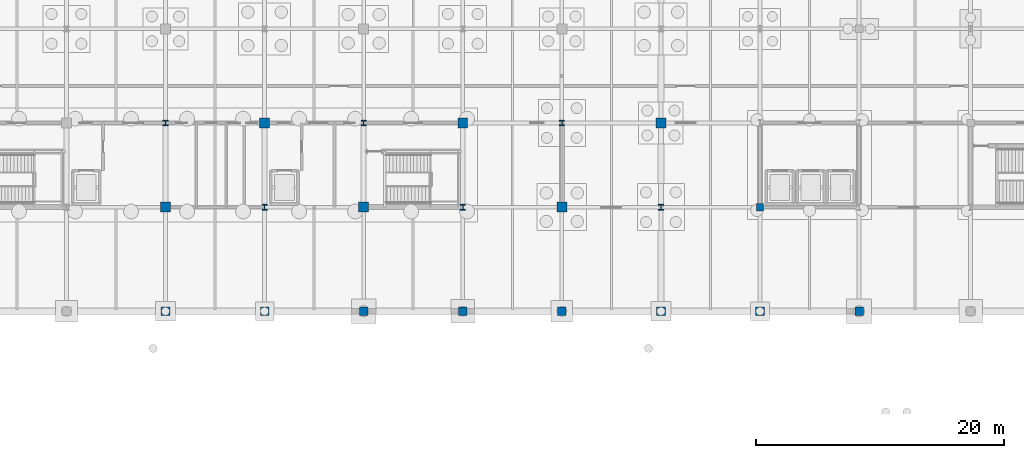
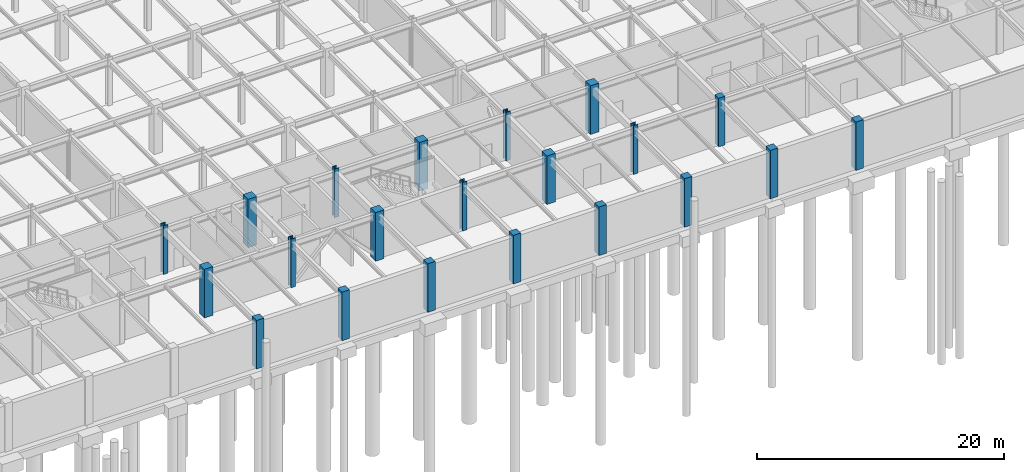
# One storey, part 13 of 53: 21 columns.
"""IFC4 building model written with IfcOpenShell, lengths in metres."""

from ifc_helpers import new_model, si_unit, direction, frame, origin, origin_2d, place, context, subcontext, project, spatial, rectangle, i_section, extrude, material, material_profile, profile_set, type_object, element, save


model = new_model("IFC4")

# Units and contexts
model_context = context("Model", 3, precision=1e-05, world=origin(), true_north=direction((0.0, 1.0)))
body_context = subcontext(model_context, "Body", "Model", "MODEL_VIEW")
ifc_project = project(units=[si_unit("LENGTHUNIT", "METRE"), si_unit("AREAUNIT", "SQUARE_METRE"), si_unit("VOLUMEUNIT", "CUBIC_METRE"), si_unit("PLANEANGLEUNIT", "RADIAN"), si_unit("MASSUNIT", "GRAM", prefix="KILO")], contexts=[model_context])

# Site, building, storey
site_placement = place(None, origin())
site = spatial("IfcSite", under=ifc_project, at=site_placement, CompositionType="ELEMENT")
building_placement = place(site_placement, origin())
building = spatial("IfcBuilding", under=site, at=building_placement, Name="Shalkamar Park Central Library", CompositionType="ELEMENT")
storey_placement = place(building_placement, frame((0.0, 0.0, -4.800048828125)))
storey = spatial("IfcBuildingStorey", under=building, at=storey_placement, Name="B1", CompositionType="ELEMENT", Elevation=-4.800048828125)

# Columns
ifc_material_1 = material(Name="Concrete C40/50", Category="concrete")
ifc_material_profile_1 = material_profile(ifc_material_1, rectangle(XDim=0.60009765625, YDim=0.60009765625, at=origin_2d()), Name="RC 600x600")
ifc_profile_set_1 = profile_set([ifc_material_profile_1], Name="Concrete C40/50")
column_type_1 = type_object("IfcColumnType", Name="Column Concrete RC600", PredefinedType="COLUMN", material=ifc_profile_set_1)
column_placement = place(storey_placement, frame((229.0, 248.39990234375, 0.0), z_axis=(0.0, 0.0, 1.0), x_axis=(1.0, 0.0, 0.0)))
element("IfcColumn", 1, at=column_placement, inside=storey, type_object=column_type_1, Name="Column 15/B (B1)", PredefinedType="COLUMN", context=body_context, shape_type="SweptSolid", body=[
    extrude(rectangle(XDim=0.60009765625, YDim=0.60009765625, at=origin_2d()), origin(), (0.0, 0.0, 1.0), 4.800048828125),
])
ifc_material_profile_2 = material_profile(ifc_material_1, rectangle(XDim=0.699951171875, YDim=0.699951171875, at=origin_2d()), Name="RC 700x700")
ifc_profile_set_2 = profile_set([ifc_material_profile_2], Name="Concrete C40/50")
column_type_2 = type_object("IfcColumnType", Name="Column Concrete RC700", PredefinedType="COLUMN", material=ifc_profile_set_2)
for number, where, z_axis, x_axis, name in (
    (2, (181.0, 240.0, 0.0), (0.0, 0.0, 1.0), (1.0, 0.0, 0.0), "Column 09/A (B1)"),
    (3, (189.0, 240.0, 0.0), (0.0, 0.0, 1.0), (1.0, 0.0, 0.0), "Column 10/A (B1)"),
    (4, (197.0, 240.0, 0.0), (0.0, 0.0, 1.0), (1.0, 0.0, 0.0), "Column 11/A (B1)"),
    (5, (205.0, 240.0, 0.0), (0.0, 0.0, 1.0), (1.0, 0.0, 0.0), "Column 12/A (B1)"),
    (6, (213.0, 240.0, 0.0), (0.0, 0.0, 1.0), (1.0, 0.0, 0.0), "Column 13/A (B1)"),
    (7, (221.0, 240.0, 0.0), (0.0, 0.0, 1.0), (1.0, 0.0, 0.0), "Column 14/A (B1)"),
    (8, (229.0, 240.0, 0.0), (0.0, 0.0, 1.0), (1.0, 0.0, 0.0), "Column 15/A (B1)"),
    (9, (237.0, 240.0, 0.0), (0.0, 0.0, 1.0), (1.0, 0.0, 0.0), "Column 16/A (B1)"),
):
    element("IfcColumn", number, at=place(storey_placement, frame(where, z_axis=z_axis, x_axis=x_axis)), inside=storey, type_object=column_type_2, Name=name, PredefinedType="COLUMN", context=body_context, shape_type="SweptSolid", body=[
        extrude(rectangle(XDim=0.699951171875, YDim=0.699951171875, at=origin_2d()), origin(), (0.0, 0.0, 1.0), 4.800048828125),
    ])
ifc_material_profile_3 = material_profile(ifc_material_1, rectangle(XDim=0.800048828125, YDim=0.800048828125, at=origin_2d()), Name="RC 800x800")
ifc_profile_set_3 = profile_set([ifc_material_profile_3], Name="Concrete C40/50")
column_type_3 = type_object("IfcColumnType", Name="Column Concrete RC800", PredefinedType="COLUMN", material=ifc_profile_set_3)
for number, where, z_axis, x_axis, name in (
    (10, (181.0, 248.39990234375, 0.0), (0.0, 0.0, 1.0), (1.0, 0.0, 0.0), "Column 09/B (B1)"),
    (11, (189.0, 255.199951171875, 0.0), (0.0, 0.0, 1.0), (1.0, 0.0, 0.0), "Column 10/C (B1)"),
    (12, (197.0, 248.39990234375, 0.0), (0.0, 0.0, 1.0), (1.0, 0.0, 0.0), "Column 11/B (B1)"),
    (13, (205.0, 255.199951171875, 0.0), (0.0, 0.0, 1.0), (1.0, 0.0, 0.0), "Column 12/C (B1)"),
    (14, (213.0, 248.39990234375, 0.0), (0.0, 0.0, 1.0), (1.0, 0.0, 0.0), "Column 13/B (B1)"),
    (15, (221.0, 255.199951171875, 0.0), (0.0, 0.0, 1.0), (1.0, 0.0, 0.0), "Column 14/C (B1)"),
):
    element("IfcColumn", number, at=place(storey_placement, frame(where, z_axis=z_axis, x_axis=x_axis)), inside=storey, type_object=column_type_3, Name=name, PredefinedType="COLUMN", context=body_context, shape_type="SweptSolid", body=[
        extrude(rectangle(XDim=0.800048828125, YDim=0.800048828125, at=origin_2d()), origin(), (0.0, 0.0, 1.0), 4.800048828125),
    ])
ifc_material_2 = material(Name="Steel S355", Category="steel")
ifc_material_profile_4 = material_profile(ifc_material_2, i_section(OverallWidth=0.41796875, OverallDepth=0.455078125, WebThickness=0.0419921875, FlangeThickness=0.067626953125, FilletRadius=0.014892578125, at=origin_2d()), Name="HD 400x551")
ifc_profile_set_4 = profile_set([ifc_material_profile_4], Name="Steel S355")
column_type_4 = type_object("IfcColumnType", Name="Column Steel HD400x551", PredefinedType="COLUMN", material=ifc_profile_set_4)
for number, where, z_axis, x_axis, name in (
    (16, (181.0, 255.199951171875, 0.0), (0.0, 0.0, 1.0), (1.0, 0.0, 0.0), "Column 09/C (B1)"),
    (17, (189.0, 248.39990234375, 0.0), (0.0, 0.0, 1.0), (1.0, 0.0, 0.0), "Column 10/B (B1)"),
    (18, (197.0, 255.199951171875, 0.0), (0.0, 0.0, 1.0), (1.0, 0.0, 0.0), "Column 11/C (B1)"),
    (19, (205.0, 248.39990234375, 0.0), (0.0, 0.0, 1.0), (1.0, 0.0, 0.0), "Column 12/B (B1)"),
    (20, (213.0, 255.199951171875, 0.0), (0.0, 0.0, 1.0), (1.0, 0.0, 0.0), "Column 13/C (B1)"),
    (21, (221.0, 248.39990234375, 0.0), (0.0, 0.0, 1.0), (1.0, 0.0, 0.0), "Column 14/B (B1)"),
):
    element("IfcColumn", number, at=place(storey_placement, frame(where, z_axis=z_axis, x_axis=x_axis)), inside=storey, type_object=column_type_4, Name=name, PredefinedType="COLUMN", context=body_context, shape_type="SweptSolid", body=[
        extrude(i_section(OverallWidth=0.41796875, OverallDepth=0.455078125, WebThickness=0.0419921875, FlangeThickness=0.067626953125, FilletRadius=0.014892578125, at=origin_2d()), origin(), (0.0, 0.0, 1.0), 4.800048828125),
    ])

save(model, "model.ifc")
